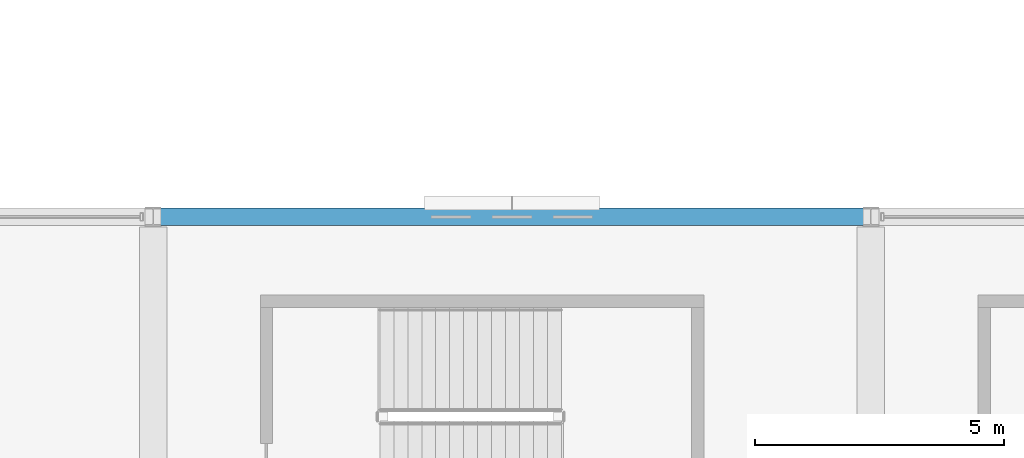
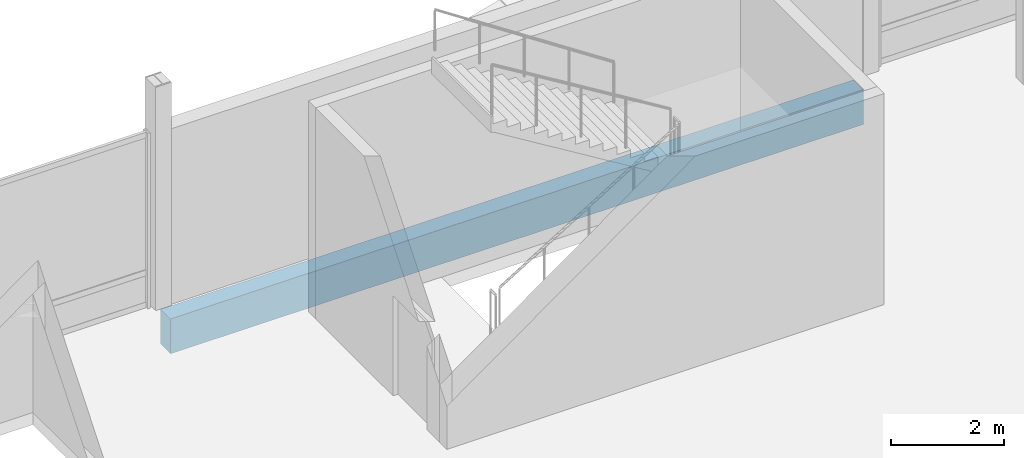
# One storey, part 31 of 193: 1 beam.
"""IFC4 building model written with IfcOpenShell, lengths in metres."""

from ifc_helpers import new_model, si_unit, direction, frame, origin, origin_2d, place, context, subcontext, project, spatial, rectangle, extrude, material, material_profile, profile_set, type_object, element, save


model = new_model("IFC4")

# Units and contexts
model_context = context("Model", 3, precision=1e-05, world=origin(), true_north=direction((0.0, 1.0)))
body_context = subcontext(model_context, "Body", "Model", "MODEL_VIEW")
ifc_project = project(units=[si_unit("LENGTHUNIT", "METRE"), si_unit("AREAUNIT", "SQUARE_METRE"), si_unit("VOLUMEUNIT", "CUBIC_METRE"), si_unit("PLANEANGLEUNIT", "RADIAN"), si_unit("MASSUNIT", "GRAM", prefix="KILO")], contexts=[model_context])

# Site, building, storey
site_placement = place(None, origin())
site = spatial("IfcSite", under=ifc_project, at=site_placement, CompositionType="ELEMENT")
building_placement = place(site_placement, origin())
building = spatial("IfcBuilding", under=site, at=building_placement, Name="Cendralis Lancet Convention Centre", CompositionType="ELEMENT")
storey_placement = place(building_placement, frame((0.0, 0.0, 10.199951171875)))
storey = spatial("IfcBuildingStorey", under=building, at=storey_placement, Name="L02", CompositionType="ELEMENT", Elevation=10.199951171875)

# Beam
ifc_material = material(Name="Concrete G40 (C40/50)", Category="concrete")
ifc_material_profile = material_profile(ifc_material, rectangle(XDim=0.35009765625, YDim=0.75, at=origin_2d()), Name="RCB 350x750")
ifc_profile_set = profile_set([ifc_material_profile], Name="Concrete G40 (C40/50)")
beam_type = type_object("IfcBeamType", Name="STR-SP-SP01", PredefinedType="SPANDREL", material=ifc_profile_set)
beam_placement = place(storey_placement, frame((79.35009765625, 36.0, -0.675048828125), z_axis=(1.0, 0.0, 0.0), x_axis=(0.0, 1.0, 0.0)))
element("IfcBeam", 1, at=beam_placement, inside=storey, type_object=beam_type, Name="L02 Beam SP01 #0848", PredefinedType="SPANDREL", context=body_context, shape_type="SweptSolid", body=[
    extrude(rectangle(XDim=0.35009765625, YDim=0.75, at=origin_2d()), origin(), (0.0, 0.0, 1.0), 14.099853515625),
])

save(model, "model.ifc")
